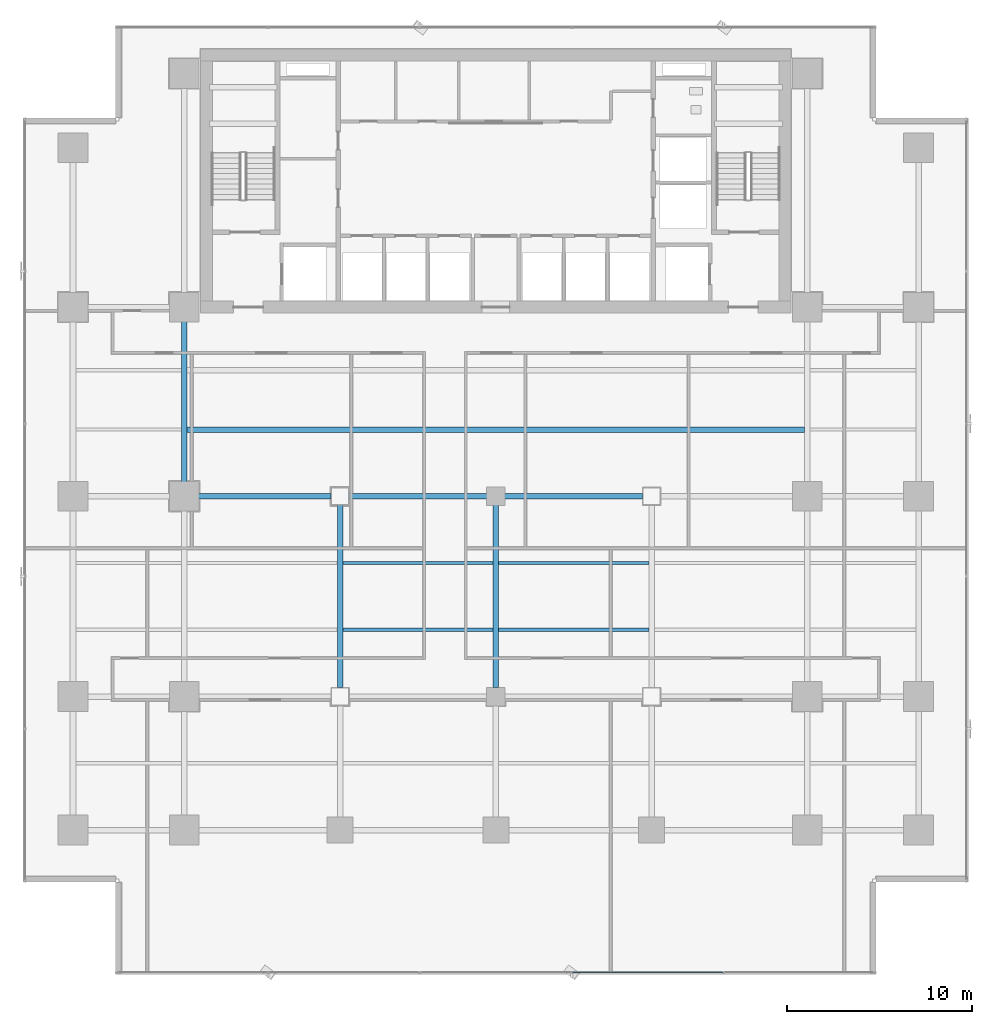
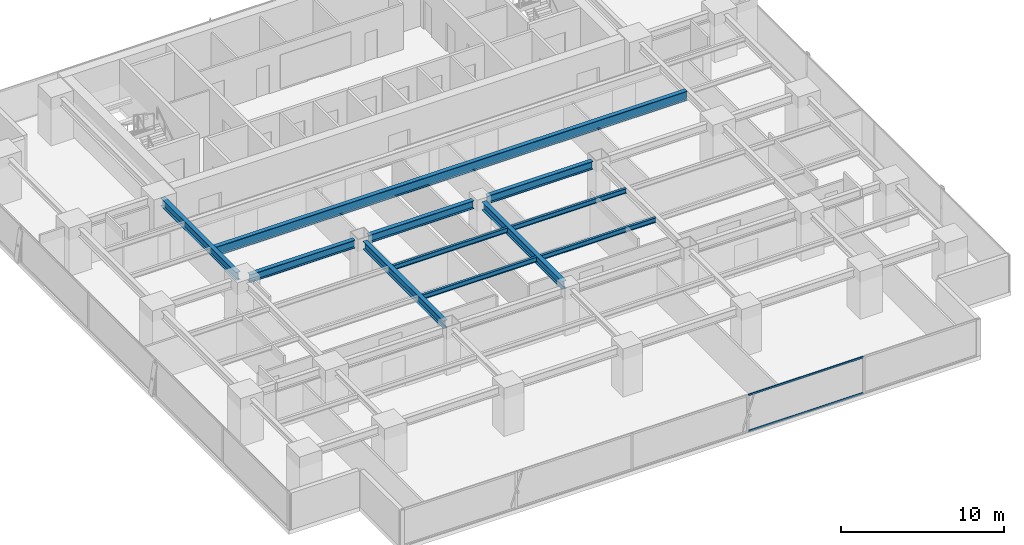
# One storey, part 11 of 36: 11 beams, 2 members, 1 element without a shape of its own.
"""IFC4 building model written with IfcOpenShell, lengths in metres."""

from ifc_helpers import new_model, si_unit, direction, frame, origin, origin_2d, place, context, subcontext, project, spatial, hollow_rectangle, i_section, extrude, source, transform, mapped, material, layer, layer_set, material_profile, profile_set, type_object, element, aggregate, save


model = new_model("IFC4")

# Units and contexts
model_context = context("Model", 3, precision=1e-05, world=origin(), true_north=direction((0.0, 1.0)))
body_context = subcontext(model_context, "Body", "Model", "MODEL_VIEW")
ifc_project = project(units=[si_unit("LENGTHUNIT", "METRE"), si_unit("AREAUNIT", "SQUARE_METRE"), si_unit("VOLUMEUNIT", "CUBIC_METRE"), si_unit("PLANEANGLEUNIT", "RADIAN"), si_unit("MASSUNIT", "GRAM", prefix="KILO")], contexts=[model_context])

# Site, building, storey
site_placement = place(None, origin())
site = spatial("IfcSite", under=ifc_project, at=site_placement, CompositionType="ELEMENT")
building_placement = place(site_placement, origin())
building = spatial("IfcBuilding", under=site, at=building_placement, Name="Sumidabori Civic Tower", CompositionType="ELEMENT")
storey_placement = place(building_placement, frame((0.0, 0.0, 77.60009765625)))
storey = spatial("IfcBuildingStorey", under=building, at=storey_placement, Name="L19", CompositionType="ELEMENT", Elevation=77.60009765625)

# Beams
ifc_material_1 = material(Name="Steel SN490", Category="steel")
ifc_material_profile_1 = material_profile(ifc_material_1, i_section(OverallWidth=0.300048828125, OverallDepth=0.60009765625, WebThickness=0.015380859375, FlangeThickness=0.030029296875, at=origin_2d()), Name="HE 600 B")
ifc_profile_set_1 = profile_set([ifc_material_profile_1], Name="Steel SN490")
beam_type_1 = type_object("IfcBeamType", Name="BM-GIRD-600", PredefinedType="BEAM", material=ifc_profile_set_1)
shared_shape_1 = source(origin(), body_context, "Body", "SweptSolid", [
    extrude(i_section(OverallWidth=0.300048828125, OverallDepth=0.60009765625, WebThickness=0.015380859375, FlangeThickness=0.030029296875, at=origin_2d()), origin(), (0.0, 0.0, 1.0), 7.440185546875),
])
beam_1_placement = place(storey_placement, frame((-16.320068359375, 0.0, 3.059814453125), z_axis=(1.0, 0.0, 0.0), x_axis=(0.0, 1.0, 0.0)))
element("IfcBeam", 1, at=beam_1_placement, inside=storey, type_object=beam_type_1, Name="Primary Girder L19 GX-14", PredefinedType="BEAM", context=body_context, shape_type="MappedRepresentation", body=[
    mapped(shared_shape_1, transform((0.0, 0.0, 0.0), x_axis=(1.0, 0.0, 0.0), y_axis=(0.0, 1.0, 0.0), z_axis=(0.0, 0.0, 1.0), scale=1.0)),
])
shared_shape_2 = source(origin(), body_context, "Body", "SweptSolid", [
    extrude(i_section(OverallWidth=0.300048828125, OverallDepth=0.60009765625, WebThickness=0.015380859375, FlangeThickness=0.030029296875, at=origin_2d()), origin(), (0.0, 0.0, 1.0), 7.43994140625),
])
for number, where, z_axis, x_axis, name in (
    (2, (-7.919921875, 0.0, 3.059814453125), (1.0, 0.0, 0.0), (0.0, 1.0, 0.0), "Primary Girder L19 GX-15"),
    (3, (0.47998046875, 0.0, 3.059814453125), (1.0, 0.0, 0.0), (0.0, 1.0, 0.0), "Primary Girder L19 GX-16"),
):
    element("IfcBeam", number, at=place(storey_placement, frame(where, z_axis=z_axis, x_axis=x_axis)), inside=storey, type_object=beam_type_1, Name=name, PredefinedType="BEAM", context=body_context, shape_type="MappedRepresentation", body=[
        mapped(shared_shape_2, transform((0.0, 0.0, 0.0), x_axis=(1.0, 0.0, 0.0), y_axis=(0.0, 1.0, 0.0), z_axis=(0.0, 0.0, 1.0), scale=1.0)),
    ])
shared_shape_3 = source(origin(), body_context, "Body", "SweptSolid", [
    extrude(i_section(OverallWidth=0.300048828125, OverallDepth=0.60009765625, WebThickness=0.015380859375, FlangeThickness=0.030029296875, at=origin_2d()), origin(), (0.0, 0.0, 1.0), 9.840087890625),
])
for number, where, z_axis, x_axis, name in (
    (4, (-8.39990234375, -10.320068359375, 3.059814453125), (0.0, 1.0, 0.0), (-1.0, 0.0, 0.0), "Primary Girder L19 GY-30"),
    (5, (0.0, -10.320068359375, 3.059814453125), (0.0, 1.0, 0.0), (-1.0, 0.0, 0.0), "Primary Girder L19 GY-32"),
):
    element("IfcBeam", number, at=place(storey_placement, frame(where, z_axis=z_axis, x_axis=x_axis)), inside=storey, type_object=beam_type_1, Name=name, PredefinedType="BEAM", context=body_context, shape_type="MappedRepresentation", body=[
        mapped(shared_shape_3, transform((0.0, 0.0, 0.0), x_axis=(1.0, 0.0, 0.0), y_axis=(0.0, 1.0, 0.0), z_axis=(0.0, 0.0, 1.0), scale=1.0)),
    ])
shared_shape_4 = source(origin(), body_context, "Body", "SweptSolid", [
    extrude(i_section(OverallWidth=0.300048828125, OverallDepth=0.60009765625, WebThickness=0.015380859375, FlangeThickness=0.030029296875, at=origin_2d()), origin(), (0.0, 0.0, 1.0), 9.239990234375),
])
beam_2_placement = place(storey_placement, frame((-16.800048828125, 0.47998046875, 3.059814453125), z_axis=(0.0, 1.0, 0.0), x_axis=(-1.0, 0.0, 0.0)))
element("IfcBeam", 6, at=beam_2_placement, inside=storey, type_object=beam_type_1, Name="Primary Girder L19 GY-27", PredefinedType="BEAM", context=body_context, shape_type="MappedRepresentation", body=[
    mapped(shared_shape_4, transform((0.0, 0.0, 0.0), x_axis=(1.0, 0.0, 0.0), y_axis=(0.0, 1.0, 0.0), z_axis=(0.0, 0.0, 1.0), scale=1.0)),
])
ifc_material_profile_2 = material_profile(ifc_material_1, i_section(OverallWidth=0.300048828125, OverallDepth=0.699951171875, WebThickness=0.01708984375, FlangeThickness=0.031982421875, at=origin_2d()), Name="HE 700 B")
ifc_profile_set_2 = profile_set([ifc_material_profile_2], Name="Steel SN490")
beam_type_2 = type_object("IfcBeamType", Name="BM-GIRD-700", PredefinedType="BEAM", material=ifc_profile_set_2)
shared_shape_5 = source(origin(), body_context, "Body", "SweptSolid", [
    extrude(i_section(OverallWidth=0.300048828125, OverallDepth=0.699951171875, WebThickness=0.01708984375, FlangeThickness=0.031982421875, at=origin_2d()), origin(), (0.0, 0.0, 1.0), 33.2998046875),
])
beam_3_placement = place(storey_placement, frame((-16.64990234375, 3.60009765625, 3.010009765625), z_axis=(1.0, 0.0, 0.0), x_axis=(0.0, 1.0, 0.0)))
element("IfcBeam", 7, at=beam_3_placement, inside=storey, type_object=beam_type_2, Name="North Bay Floor Beam L19 JSTN-53", PredefinedType="BEAM", context=body_context, shape_type="MappedRepresentation", body=[
    mapped(shared_shape_5, transform((0.0, 0.0, 0.0), x_axis=(1.0, 0.0, 0.0), y_axis=(0.0, 1.0, 0.0), z_axis=(0.0, 0.0, 1.0), scale=1.0)),
])
ifc_material_profile_3 = material_profile(ifc_material_1, i_section(OverallWidth=0.169921875, OverallDepth=0.360107421875, WebThickness=0.008056640625, FlangeThickness=0.0126953125, at=origin_2d()), Name="IPE 360")
ifc_profile_set_3 = profile_set([ifc_material_profile_3], Name="Steel SN490")
beam_type_3 = type_object("IfcBeamType", Name="BM-JST-360", PredefinedType="JOIST", material=ifc_profile_set_3)
shared_shape_6 = source(origin(), body_context, "Body", "SweptSolid", [
    extrude(i_section(OverallWidth=0.169921875, OverallDepth=0.360107421875, WebThickness=0.008056640625, FlangeThickness=0.0126953125, at=origin_2d()), origin(), (0.0, 0.0, 1.0), 8.10009765625),
])
for number, where, z_axis, x_axis, name in (
    (8, (-8.25, -7.199951171875, 3.179931640625), (1.0, 0.0, 0.0), (0.0, 1.0, 0.0), "South Bay Floor Joist L19 JSTS-60"),
    (9, (0.14990234375, -7.199951171875, 3.179931640625), (1.0, 0.0, 0.0), (0.0, 1.0, 0.0), "South Bay Floor Joist L19 JSTS-61"),
    (10, (-8.25, -3.60009765625, 3.179931640625), (1.0, 0.0, 0.0), (0.0, 1.0, 0.0), "South Bay Floor Joist L19 JSTS-64"),
    (11, (0.14990234375, -3.60009765625, 3.179931640625), (1.0, 0.0, 0.0), (0.0, 1.0, 0.0), "South Bay Floor Joist L19 JSTS-65"),
):
    element("IfcBeam", number, at=place(storey_placement, frame(where, z_axis=z_axis, x_axis=x_axis)), inside=storey, type_object=beam_type_3, Name=name, PredefinedType="JOIST", context=body_context, shape_type="MappedRepresentation", body=[
        mapped(shared_shape_6, transform((0.0, 0.0, 0.0), x_axis=(1.0, 0.0, 0.0), y_axis=(0.0, 1.0, 0.0), z_axis=(0.0, 0.0, 1.0), scale=1.0)),
    ])

# Curtain wall, members
ifc_material_2 = material(Name="Anodised Bronze Aluminium AW-6063-T6", Category="aluminium")
ifc_layer = layer(ifc_material_2, 0.179931640625, Name="Anodised Bronze Aluminium AW-6063-T6")
ifc_layer_set = layer_set([ifc_layer], Name="Anodised Bronze Aluminium AW-6063-T6")
curtain_wall_type = type_object("IfcCurtainWallType", Name="CW-SYS-3", PredefinedType="NOTDEFINED", material=ifc_layer_set)
curtain_wall_placement = place(storey_placement, origin())
curtain_wall = element("IfcCurtainWall", 12, at=curtain_wall_placement, inside=storey, type_object=curtain_wall_type, Name="Curtain Wall CW:L19:R01", PredefinedType="NOTDEFINED")
ifc_material_profile_4 = material_profile(ifc_material_2, hollow_rectangle(XDim=0.06005859375, YDim=0.1298828125, WallThickness=0.0048828125, at=origin_2d()), Name="ALU TRANSOM 130x60")
ifc_profile_set_4 = profile_set([ifc_material_profile_4], Name="Anodised Bronze Aluminium AW-6063-T6")
member_type = type_object("IfcMemberType", Name="CW-TRN-130", PredefinedType="USERDEFINED", material=ifc_profile_set_4)
shared_shape_7 = source(origin(), body_context, "Body", "SweptSolid", [
    extrude(hollow_rectangle(XDim=0.06005859375, YDim=0.1298828125, WallThickness=0.0048828125, at=origin_2d()), origin(), (0.0, 0.0, 1.0), 8.123046875),
])
member_1_placement = place(storey_placement, frame((4.12646484375, -25.679931640625, 0.02978515625), z_axis=(1.0, 0.0, 0.0), x_axis=(0.0, 1.0, 0.0)))
member_1 = element("IfcMember", 13, at=member_1_placement, type_object=member_type, Name="CW-3 transom 4.1", ObjectType="TRANSOM", PredefinedType="USERDEFINED", context=body_context, shape_type="MappedRepresentation", body=[
    mapped(shared_shape_7, transform((0.0, 0.0, 0.0), x_axis=(1.0, 0.0, 0.0), y_axis=(0.0, 1.0, 0.0), z_axis=(0.0, 0.0, 1.0), scale=1.0)),
])
member_2_placement = place(storey_placement, frame((4.12646484375, -25.679931640625, 2.7099609375), z_axis=(1.0, 0.0, 0.0), x_axis=(0.0, 1.0, 0.0)))
member_2 = element("IfcMember", 14, at=member_2_placement, type_object=member_type, Name="CW-3 transom 4.2", ObjectType="TRANSOM", PredefinedType="USERDEFINED", context=body_context, shape_type="MappedRepresentation", body=[
    mapped(shared_shape_7, transform((0.0, 0.0, 0.0), x_axis=(1.0, 0.0, 0.0), y_axis=(0.0, 1.0, 0.0), z_axis=(0.0, 0.0, 1.0), scale=1.0)),
])
aggregate(curtain_wall, [member_1, member_2])

save(model, "model.ifc")
